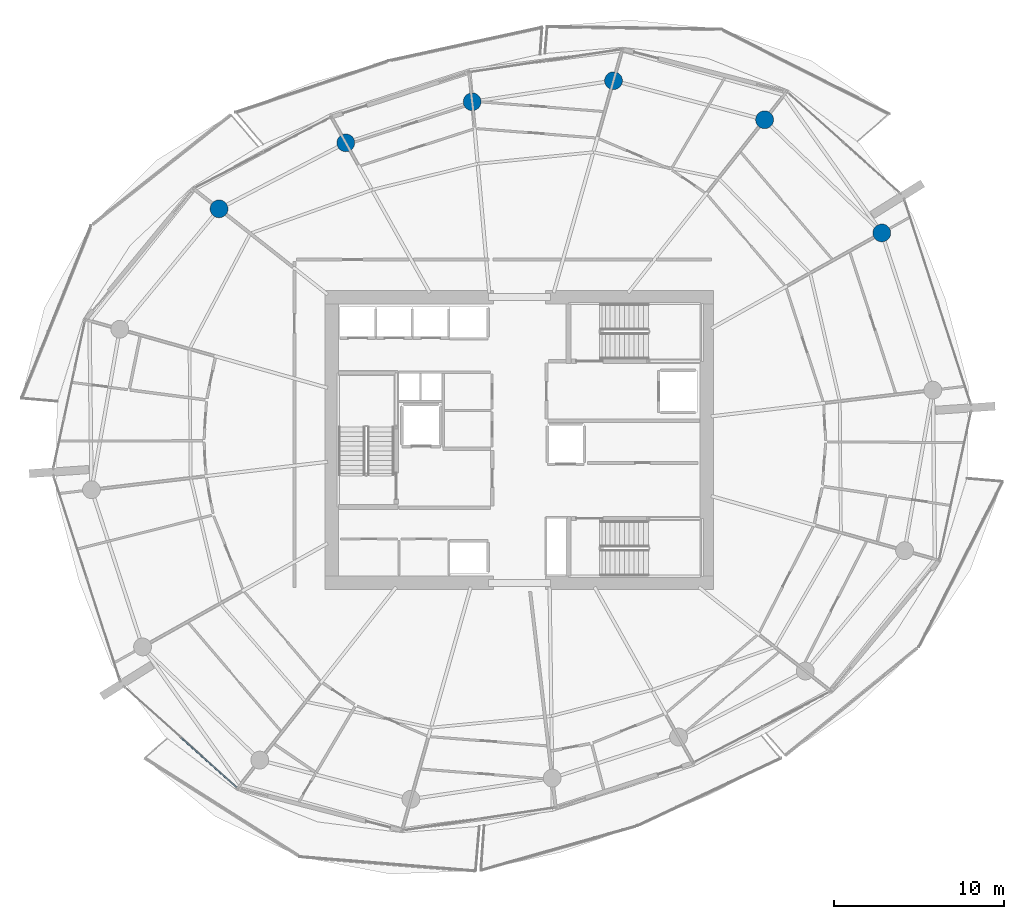
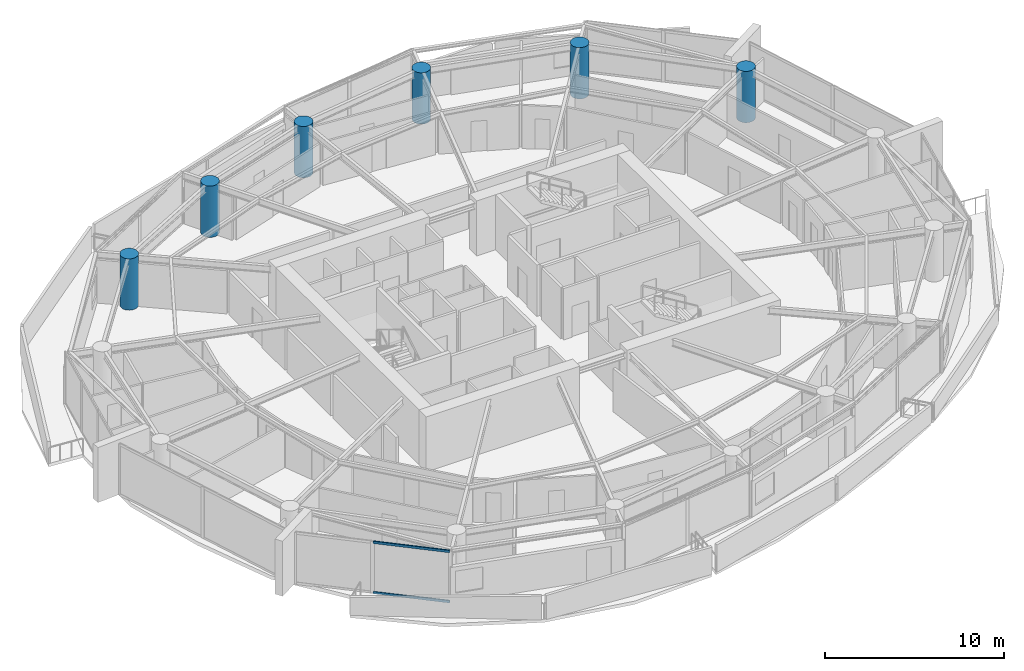
# One storey, part 4 of 20: 6 columns, 2 members, 1 element without a shape of its own.
"""IFC4 building model written with IfcOpenShell, lengths in metres."""

from ifc_helpers import new_model, si_unit, direction, frame, origin, origin_2d, place, context, subcontext, project, spatial, rectangle, circle, extrude, material, layer, layer_set, material_profile, profile_set, type_object, element, aggregate, save


model = new_model("IFC4")

# Units and contexts
model_context = context("Model", 3, precision=1e-05, world=origin(), true_north=direction((0.0, 1.0)))
body_context = subcontext(model_context, "Body", "Model", "MODEL_VIEW")
ifc_project = project(units=[si_unit("LENGTHUNIT", "METRE"), si_unit("AREAUNIT", "SQUARE_METRE"), si_unit("VOLUMEUNIT", "CUBIC_METRE"), si_unit("PLANEANGLEUNIT", "RADIAN"), si_unit("MASSUNIT", "GRAM", prefix="KILO")], contexts=[model_context])

# Site, building, storey
site_placement = place(None, origin())
site = spatial("IfcSite", under=ifc_project, at=site_placement, CompositionType="ELEMENT")
building_placement = place(site_placement, origin())
building = spatial("IfcBuilding", under=site, at=building_placement, Name="Kazma Halo Residences", CompositionType="ELEMENT")
storey_placement = place(building_placement, frame((0.0, 0.0, 142.800048828125)))
storey = spatial("IfcBuildingStorey", under=building, at=storey_placement, Name="L35", CompositionType="ELEMENT", Elevation=142.800048828125)

# Columns
ifc_material_1 = material(Name="Concrete C80/95", Category="concrete")
ifc_material_profile_1 = material_profile(ifc_material_1, circle(Radius=0.52490234375, at=origin_2d()), Name="CIRC1050")
ifc_profile_set_1 = profile_set([ifc_material_profile_1], Name="Concrete C80/95")
column_type = type_object("IfcColumnType", Name="COL-PERIM-1050", PredefinedType="COLUMN", material=ifc_profile_set_1)
for number, where, z_axis, x_axis, name in (
    (1, (69.730224609375, 54.16943359375, 0.0), (0.0, 0.0, 1.0), (1.0, 0.0, 0.0), "L35 perimeter ring column P01"),
    (2, (62.839599609375, 60.82373046875, 0.0), (0.0, 0.0, 1.0), (1.0, 0.0, 0.0), "L35 perimeter ring column P02"),
    (3, (53.95703125, 63.121826171875, 0.0), (0.0, 0.0, 1.0), (1.0, 0.0, 0.0), "L35 perimeter ring column P03"),
    (4, (45.64697265625, 61.881103515625, 0.0), (0.0, 0.0, 1.0), (1.0, 0.0, 0.0), "L35 perimeter ring column P04"),
    (5, (38.218017578125, 59.46728515625, 0.0), (0.0, 0.0, 1.0), (1.0, 0.0, 0.0), "L35 perimeter ring column P05"),
    (6, (30.765625, 55.58642578125, 0.0), (0.0, 0.0, 1.0), (1.0, 0.0, 0.0), "L35 perimeter ring column P06"),
):
    element("IfcColumn", number, at=place(storey_placement, frame(where, z_axis=z_axis, x_axis=x_axis)), inside=storey, type_object=column_type, Name=name, PredefinedType="COLUMN", context=body_context, shape_type="SweptSolid", body=[
        extrude(circle(Radius=0.52490234375, at=origin_2d()), origin(), (0.0, 0.0, 1.0), 3.5),
    ])

# Curtain wall, members
ifc_material_2 = material(Name="Aluminium AW-6063 T6 and Triple-Silver Low-E Glass", Category="aluminium")
ifc_layer = layer(ifc_material_2, 0.219970703125)
ifc_layer_set = layer_set([ifc_layer], Name="Aluminium AW-6063 T6 and Triple-Silver Low-E Glass")
curtain_wall_type = type_object("IfcCurtainWallType", Name="CW-SYS-4", PredefinedType="NOTDEFINED", material=ifc_layer_set)
curtain_wall_placement = place(storey_placement, origin())
curtain_wall = element("IfcCurtainWall", 7, at=curtain_wall_placement, inside=storey, type_object=curtain_wall_type, Name="L35 unitised curtain wall B09", PredefinedType="NOTDEFINED")
ifc_material_3 = material(Name="Aluminium AW-6063 T6", Category="aluminium")
ifc_material_profile_2 = material_profile(ifc_material_3, rectangle(XDim=0.074951171875, YDim=0.1650390625, at=origin_2d()), Name="CWT-75x165")
ifc_profile_set_2 = profile_set([ifc_material_profile_2], Name="Aluminium AW-6063 T6")
member_type = type_object("IfcMemberType", Name="CW-SYS-4-TRN", PredefinedType="USERDEFINED", material=ifc_profile_set_2)
member_1_placement = place(storey_placement, frame((28.552734375, 24.485107421875, 0.037353515625), z_axis=(0.744372794017, -0.667764287401, 0.0), x_axis=(0.667764287401, 0.744372794017, 0.0)))
member_1 = element("IfcMember", 8, at=member_1_placement, type_object=member_type, Name="CWS-4 transom 2.1", ObjectType="TRANSOM", PredefinedType="USERDEFINED", context=body_context, shape_type="SweptSolid", body=[
    extrude(rectangle(XDim=0.074951171875, YDim=0.1650390625, at=origin_2d()), origin(), (0.0, 0.0, 1.0), 4.36279296875),
])
member_2_placement = place(storey_placement, frame((28.552734375, 24.485107421875, 3.46240234375), z_axis=(0.744372794017, -0.667764287401, 0.0), x_axis=(0.667764287401, 0.744372794017, 0.0)))
member_2 = element("IfcMember", 9, at=member_2_placement, type_object=member_type, Name="CWS-4 transom 2.2", ObjectType="TRANSOM", PredefinedType="USERDEFINED", context=body_context, shape_type="SweptSolid", body=[
    extrude(rectangle(XDim=0.074951171875, YDim=0.1650390625, at=origin_2d()), origin(), (0.0, 0.0, 1.0), 4.36279296875),
])
aggregate(curtain_wall, [member_1, member_2])

save(model, "model.ifc")
